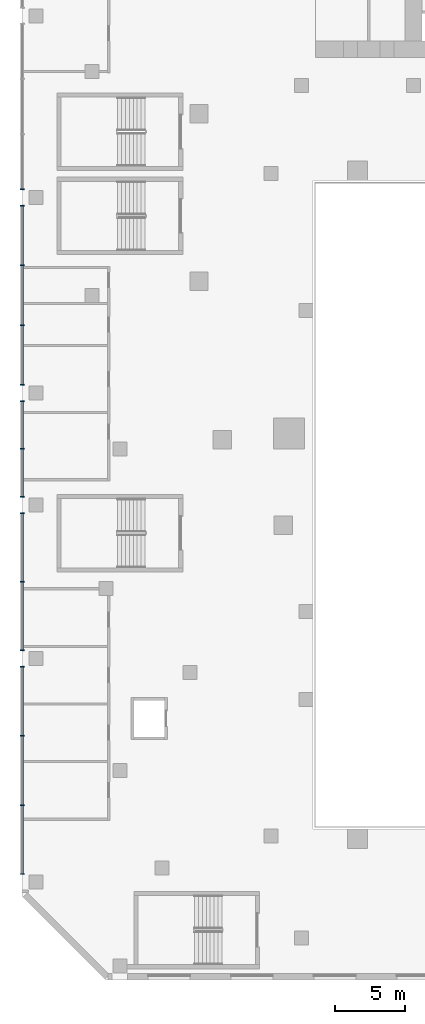
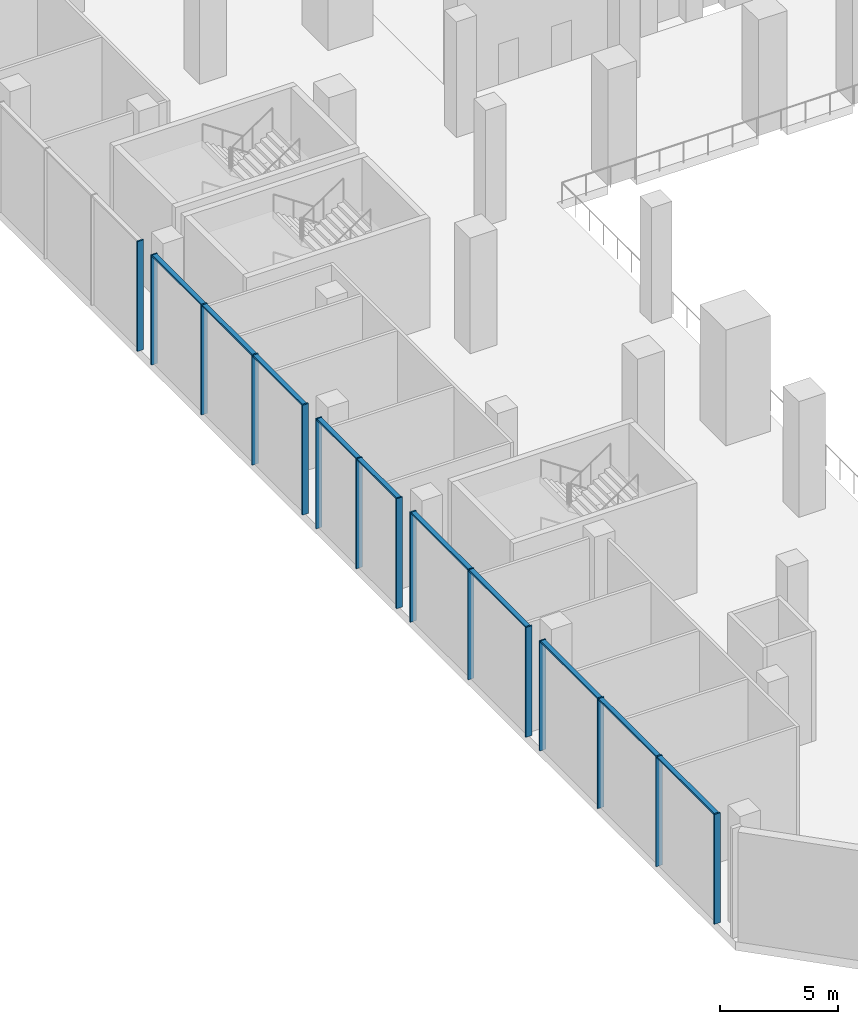
# One storey, part 2 of 30: 25 members, 5 elements without a shape of their own.
"""IFC4 building model written with IfcOpenShell, lengths in metres."""

import ifcopenshell
import ifcopenshell.guid

model = None  # the IFC model being written
_history = None  # IfcOwnerHistory: only IFC2X3 demands one
_inside = {}  # id of a spatial element -> (the spatial element, [elements in it])
_under = {}  # id of a project, library or spatial element -> (it, [spatial elements below it])
_declared = {}  # id of a project -> (the project, [libraries it declares])
_typed = {}  # id of a type object -> (the type object, [elements of that type])
_made_of = {}  # id of a material, layer set ... -> (it, [elements and type objects made of it])


def new_model(schema):
    """Start an empty IFC model of exactly this schema.

    Asked for "IFC4X3", IfcOpenShell would pick the latest addendum, in which some entities
    have other attributes; the version numbers below select the first issue.
    IFC2X3 requires an IfcOwnerHistory on every rooted entity: one is made here for all.
    """
    global model, _history
    if schema == "IFC4X3":
        model = ifcopenshell.file(schema_version=(4, 3, 0, 0))
    else:
        model = ifcopenshell.file(schema=schema)
    _inside.clear()
    _under.clear()
    _declared.clear()
    _typed.clear()
    _made_of.clear()
    _history = None
    if model.schema == "IFC2X3":
        org = make("IfcOrganization", Name="unknown")
        user = make(
            "IfcPersonAndOrganization",
            ThePerson=make("IfcPerson", FamilyName="unknown"),
            TheOrganization=org,
        )
        app = make(
            "IfcApplication",
            ApplicationDeveloper=org,
            Version="unknown",
            ApplicationFullName="unknown",
            ApplicationIdentifier="unknown",
        )
        _history = make(
            "IfcOwnerHistory",
            OwningUser=user,
            OwningApplication=app,
            ChangeAction="ADDED",
            CreationDate=0,
        )
    return model


def make(cls, **values):
    """One entity of the class cls with the attributes given. An attribute that is None is left unset."""
    return model.create_entity(
        cls, **{name: value for name, value in values.items() if value is not None}
    )


def rooted(cls, **values):
    """An entity with a GlobalId (a new one), such as an element, a storey or a relation."""
    return make(cls, GlobalId=ifcopenshell.guid.new(), OwnerHistory=_history, **values)


def si_unit(unit_type, name, prefix=None):
    """IfcSIUnit, for example si_unit("LENGTHUNIT", "METRE", prefix="MILLI")."""
    return make("IfcSIUnit", UnitType=unit_type, Prefix=prefix, Name=name)


def assignment(units):
    """IfcUnitAssignment: the units of a project."""
    return None if units is None else make("IfcUnitAssignment", Units=units)


def point(xyz):
    """IfcCartesianPoint."""
    return None if xyz is None else make("IfcCartesianPoint", Coordinates=xyz)


def direction(xyz):
    """IfcDirection."""
    return None if xyz is None else make("IfcDirection", DirectionRatios=xyz)


def frame(location, z_axis=None, x_axis=None):
    """IfcAxis2Placement3D, a coordinate frame: its origin and axes. An axis left out is left unset."""
    return make(
        "IfcAxis2Placement3D",
        Location=point(location),
        Axis=direction(z_axis),
        RefDirection=direction(x_axis),
    )


def frame_2d(location, x_axis=None):
    """IfcAxis2Placement2D, a coordinate frame in the plane: its origin and x axis."""
    return make(
        "IfcAxis2Placement2D", Location=point(location), RefDirection=direction(x_axis)
    )


def origin():
    """The frame at (0, 0, 0) with its axes left unset."""
    return frame((0.0, 0.0, 0.0))


def origin_2d():
    """The frame at (0, 0) in the plane with its x axis left unset."""
    return frame_2d((0.0, 0.0))


def place(relative_to, where):
    """IfcLocalPlacement: puts the frame where relative to a parent placement (None: the world)."""
    return make(
        "IfcLocalPlacement", PlacementRelTo=relative_to, RelativePlacement=where
    )


def context(
    kind, dimensions, precision=None, world=None, true_north=None, identifier=None
):
    """IfcGeometricRepresentationContext, for example the 3D "Model" context."""
    return make(
        "IfcGeometricRepresentationContext",
        ContextIdentifier=identifier,
        ContextType=kind,
        CoordinateSpaceDimension=dimensions,
        Precision=precision,
        WorldCoordinateSystem=world,
        TrueNorth=true_north,
    )


def subcontext(parent, identifier, kind, view, scale=None):
    """IfcGeometricRepresentationSubContext, for example "Body" below "Model"."""
    return make(
        "IfcGeometricRepresentationSubContext",
        ContextIdentifier=identifier,
        ContextType=kind,
        ParentContext=parent,
        TargetScale=scale,
        TargetView=view,
    )


def project(units=None, contexts=None):
    """IfcProject with its units and contexts."""
    return rooted(
        "IfcProject",
        Name="project",
        RepresentationContexts=contexts,
        UnitsInContext=assignment(units),
    )


def spatial(cls, under=None, at=None, **own):
    """A site, building, storey or space (cls), placed at a placement, below another one or the project."""
    s = rooted(cls, ObjectPlacement=at, **own)
    if under is not None:
        _under.setdefault(under.id(), (under, []))[1].append(s)
    return s


def profile(cls, at=None, kind="AREA", **sizes):
    """A parametric profile (cls). Its sizes go by their IFC names, for example OverallWidth=200.0."""
    return make(cls, ProfileType=kind, Position=at, **sizes)


def rectangle(**sizes):
    """IfcRectangleProfileDef."""
    return profile("IfcRectangleProfileDef", **sizes)


def extrude(swept, where, along, depth):
    """IfcExtrudedAreaSolid: the profile swept, set in the frame where, extruded along a direction by depth."""
    return make(
        "IfcExtrudedAreaSolid",
        SweptArea=swept,
        Position=where,
        ExtrudedDirection=direction(along),
        Depth=depth,
    )


def shape(context_of_items, identifier, shape_type, items):
    """IfcShapeRepresentation: the items that make up one representation, for example the "Body"."""
    return make(
        "IfcShapeRepresentation",
        ContextOfItems=context_of_items,
        RepresentationIdentifier=identifier,
        RepresentationType=shape_type,
        Items=items,
    )


def material(Name=None, Category=None):
    """IfcMaterial."""
    return make("IfcMaterial", Name=Name, Category=Category)


def material_profile(
    of_material, cross_section, Name=None, Category=None, Priority=None
):
    """IfcMaterialProfile: a cross section and its material."""
    return make(
        "IfcMaterialProfile",
        Name=Name,
        Material=of_material,
        Profile=cross_section,
        Priority=Priority,
        Category=Category,
    )


def profile_set(profiles, Name=None, composite=None):
    """IfcMaterialProfileSet."""
    return make(
        "IfcMaterialProfileSet",
        Name=Name,
        MaterialProfiles=profiles,
        CompositeProfile=composite,
    )


def made_of(thing, what):
    """Note that an element or type object is made of a material, layer set ...; save() writes the relation."""
    if what is not None:
        _made_of.setdefault(what.id(), (what, []))[1].append(thing)
    return thing


def type_object(cls, material=None, **own):
    """A type object (cls), such as IfcWallType, which elements share."""
    return made_of(rooted(cls, **own), material)


def element(
    cls,
    number,
    at=None,
    inside=None,
    cuts=None,
    type_object=None,
    material=None,
    context=None,
    identifier="Body",
    shape_type=None,
    held_by="IfcProductDefinitionShape",
    body=None,
    shapes=None,
    **own,
):
    """One element of the class cls, such as IfcWall. Its Tag is "e" and its number.

    at: its placement. inside: the storey or other place that contains it. cuts: it is an
    opening in that element (IfcRelVoidsElement). A single representation is given by context,
    identifier, shape_type and body (its items); several are given by shapes. held_by: the class
    of the entity that holds the representations. save() writes the other relations.
    """
    e = rooted(cls, Tag="e%d" % number, ObjectPlacement=at, **own)
    if body is not None:
        shapes = [shape(context, identifier, shape_type, body)]
    if shapes is not None:
        e.Representation = make(held_by, Representations=shapes)
    if inside is not None:
        _inside.setdefault(inside.id(), (inside, []))[1].append(e)
    if cuts is not None:
        rooted(
            "IfcRelVoidsElement", RelatingBuildingElement=cuts, RelatedOpeningElement=e
        )
    if type_object is not None:
        _typed.setdefault(type_object.id(), (type_object, []))[1].append(e)
    return made_of(e, material)


def aggregate(whole, parts):
    """IfcRelAggregates: a whole, such as a stair, and the parts it consists of."""
    return rooted("IfcRelAggregates", RelatingObject=whole, RelatedObjects=parts)


def save(model, path):
    """Write the relations noted so far, then the file.

    IfcRelAggregates (storeys below a building ...), IfcRelContainedInSpatialStructure (elements
    in a storey), IfcRelDefinesByType, IfcRelAssociatesMaterial and IfcRelDeclares: one each for
    every whole, place, type object, material and project.
    """
    for whole, parts in _under.values():
        aggregate(whole, parts)
    for where, things in _inside.values():
        rooted(
            "IfcRelContainedInSpatialStructure",
            RelatedElements=things,
            RelatingStructure=where,
        )
    for kind, things in _typed.values():
        rooted("IfcRelDefinesByType", RelatedObjects=things, RelatingType=kind)
    for what, things in _made_of.values():
        rooted("IfcRelAssociatesMaterial", RelatedObjects=things, RelatingMaterial=what)
    for by, libraries in _declared.values():
        rooted("IfcRelDeclares", RelatingContext=by, RelatedDefinitions=libraries)
    model.write(path)


model = new_model("IFC4")

# Units and contexts
model_context = context("Model", 3, precision=1e-05, world=origin(), true_north=direction((0.0, 1.0)))
body_context = subcontext(model_context, "Body", "Model", "MODEL_VIEW")
ifc_project = project(units=[si_unit("LENGTHUNIT", "METRE"), si_unit("AREAUNIT", "SQUARE_METRE"), si_unit("VOLUMEUNIT", "CUBIC_METRE"), si_unit("PLANEANGLEUNIT", "RADIAN"), si_unit("MASSUNIT", "GRAM", prefix="KILO")], contexts=[model_context])

# Site, building, storey
site_placement = place(None, origin())
site = spatial("IfcSite", under=ifc_project, at=site_placement, CompositionType="ELEMENT")
building_placement = place(site_placement, origin())
building = spatial("IfcBuilding", under=site, at=building_placement, Name="Wharfspan Tower", CompositionType="ELEMENT")
storey_placement = place(building_placement, frame((0.0, 0.0, 21.5)))
storey = spatial("IfcBuildingStorey", under=building, at=storey_placement, Name="L03", CompositionType="ELEMENT", Elevation=21.5)

# Curtain wall, member
ifc_material = material(Name="Aluminium 6063-T6", Category="aluminium")
curtain_wall_type = type_object("IfcCurtainWallType", Name="CURTAIN WALL ARENA STICK WALL", PredefinedType="NOTDEFINED", material=ifc_material)
curtain_wall_1_placement = place(storey_placement, origin())
curtain_wall_1 = element("IfcCurtainWall", 1, at=curtain_wall_1_placement, inside=storey, type_object=curtain_wall_type, Name="Concourse stick wall PF12.3", PredefinedType="NOTDEFINED")
ifc_material_profile_1 = material_profile(ifc_material, rectangle(XDim=0.300049, YDim=0.070068, at=origin_2d()))
ifc_profile_set_1 = profile_set([ifc_material_profile_1], Name="Aluminium 6063-T6")
member_type_1 = type_object("IfcMemberType", Name="MULLION ARENA STICK WALL 70x300", PredefinedType="MULLION", material=ifc_profile_set_1)
member_1_placement = place(storey_placement, frame((-12.0, 24.584961, 0.0), z_axis=(0.0, 0.0, 1.0), x_axis=(1.0, 0.0, 0.0)))
member_1 = element("IfcMember", 2, at=member_1_placement, type_object=member_type_1, Name="Concourse stick wall PF12.3 mullion 4", PredefinedType="MULLION", context=body_context, shape_type="SweptSolid", body=[
    extrude(rectangle(XDim=0.300049, YDim=0.070068, at=origin_2d()), origin(), (0.0, 0.0, 1.0), 5.699951),
])
aggregate(curtain_wall_1, [member_1])

# Curtain wall, members
curtain_wall_2_placement = place(storey_placement, origin())
curtain_wall_2 = element("IfcCurtainWall", 3, at=curtain_wall_2_placement, inside=storey, type_object=curtain_wall_type, Name="Concourse stick wall PF12.4", PredefinedType="NOTDEFINED")
member_2_placement = place(storey_placement, frame((-12.0, 23.415039, 0.0), z_axis=(0.0, 0.0, 1.0), x_axis=(1.0, 0.0, 0.0)))
member_2 = element("IfcMember", 4, at=member_2_placement, type_object=member_type_1, Name="Concourse stick wall PF12.4 mullion 1", PredefinedType="MULLION", context=body_context, shape_type="SweptSolid", body=[
    extrude(rectangle(XDim=0.300049, YDim=0.070068, at=origin_2d()), origin(), (0.0, 0.0, 1.0), 5.699951),
])
member_3_placement = place(storey_placement, frame((-12.0, 19.149902, 0.0), z_axis=(0.0, 0.0, 1.0), x_axis=(1.0, 0.0, 0.0)))
member_3 = element("IfcMember", 5, at=member_3_placement, type_object=member_type_1, Name="Concourse stick wall PF12.4 mullion 2", PredefinedType="MULLION", context=body_context, shape_type="SweptSolid", body=[
    extrude(rectangle(XDim=0.300049, YDim=0.070068, at=origin_2d()), origin(), (0.0, 0.0, 1.0), 5.699951),
])
member_4_placement = place(storey_placement, frame((-12.0, 14.850098, 0.0), z_axis=(0.0, 0.0, 1.0), x_axis=(1.0, 0.0, 0.0)))
member_4 = element("IfcMember", 6, at=member_4_placement, type_object=member_type_1, Name="Concourse stick wall PF12.4 mullion 3", PredefinedType="MULLION", context=body_context, shape_type="SweptSolid", body=[
    extrude(rectangle(XDim=0.300049, YDim=0.070068, at=origin_2d()), origin(), (0.0, 0.0, 1.0), 5.699951),
])
member_5_placement = place(storey_placement, frame((-12.0, 10.584961, 0.0), z_axis=(0.0, 0.0, 1.0), x_axis=(1.0, 0.0, 0.0)))
member_5 = element("IfcMember", 7, at=member_5_placement, type_object=member_type_1, Name="Concourse stick wall PF12.4 mullion 4", PredefinedType="MULLION", context=body_context, shape_type="SweptSolid", body=[
    extrude(rectangle(XDim=0.300049, YDim=0.070068, at=origin_2d()), origin(), (0.0, 0.0, 1.0), 5.699951),
])

curtain_wall_3_placement = place(storey_placement, origin())
curtain_wall_3 = element("IfcCurtainWall", 8, at=curtain_wall_3_placement, inside=storey, type_object=curtain_wall_type, Name="Concourse stick wall PF12.5", PredefinedType="NOTDEFINED")
member_6_placement = place(storey_placement, frame((-12.0, 9.415039, 0.0), z_axis=(0.0, 0.0, 1.0), x_axis=(1.0, 0.0, 0.0)))
member_6 = element("IfcMember", 9, at=member_6_placement, type_object=member_type_1, Name="Concourse stick wall PF12.5 mullion 1", PredefinedType="MULLION", context=body_context, shape_type="SweptSolid", body=[
    extrude(rectangle(XDim=0.300049, YDim=0.070068, at=origin_2d()), origin(), (0.0, 0.0, 1.0), 5.699951),
])
member_7_placement = place(storey_placement, frame((-12.0, 6.0, 0.0), z_axis=(0.0, 0.0, 1.0), x_axis=(1.0, 0.0, 0.0)))
member_7 = element("IfcMember", 10, at=member_7_placement, type_object=member_type_1, Name="Concourse stick wall PF12.5 mullion 2", PredefinedType="MULLION", context=body_context, shape_type="SweptSolid", body=[
    extrude(rectangle(XDim=0.300049, YDim=0.070068, at=origin_2d()), origin(), (0.0, 0.0, 1.0), 5.699951),
])
member_8_placement = place(storey_placement, frame((-12.0, 2.584961, 0.0), z_axis=(0.0, 0.0, 1.0), x_axis=(1.0, 0.0, 0.0)))
member_8 = element("IfcMember", 11, at=member_8_placement, type_object=member_type_1, Name="Concourse stick wall PF12.5 mullion 3", PredefinedType="MULLION", context=body_context, shape_type="SweptSolid", body=[
    extrude(rectangle(XDim=0.300049, YDim=0.070068, at=origin_2d()), origin(), (0.0, 0.0, 1.0), 5.699951),
])

curtain_wall_4_placement = place(storey_placement, origin())
curtain_wall_4 = element("IfcCurtainWall", 12, at=curtain_wall_4_placement, inside=storey, type_object=curtain_wall_type, Name="Concourse stick wall PF12.6", PredefinedType="NOTDEFINED")
member_9_placement = place(storey_placement, frame((-12.0, 1.415039, 0.0), z_axis=(0.0, 0.0, 1.0), x_axis=(1.0, 0.0, 0.0)))
member_9 = element("IfcMember", 13, at=member_9_placement, type_object=member_type_1, Name="Concourse stick wall PF12.6 mullion 1", PredefinedType="MULLION", context=body_context, shape_type="SweptSolid", body=[
    extrude(rectangle(XDim=0.300049, YDim=0.070068, at=origin_2d()), origin(), (0.0, 0.0, 1.0), 5.699951),
])
member_10_placement = place(storey_placement, frame((-12.0, -3.5, 0.0), z_axis=(0.0, 0.0, 1.0), x_axis=(1.0, 0.0, 0.0)))
member_10 = element("IfcMember", 14, at=member_10_placement, type_object=member_type_1, Name="Concourse stick wall PF12.6 mullion 2", PredefinedType="MULLION", context=body_context, shape_type="SweptSolid", body=[
    extrude(rectangle(XDim=0.300049, YDim=0.070068, at=origin_2d()), origin(), (0.0, 0.0, 1.0), 5.699951),
])
member_11_placement = place(storey_placement, frame((-12.0, -8.415039, 0.0), z_axis=(0.0, 0.0, 1.0), x_axis=(1.0, 0.0, 0.0)))
member_11 = element("IfcMember", 15, at=member_11_placement, type_object=member_type_1, Name="Concourse stick wall PF12.6 mullion 3", PredefinedType="MULLION", context=body_context, shape_type="SweptSolid", body=[
    extrude(rectangle(XDim=0.300049, YDim=0.070068, at=origin_2d()), origin(), (0.0, 0.0, 1.0), 5.699951),
])

curtain_wall_5_placement = place(storey_placement, origin())
curtain_wall_5 = element("IfcCurtainWall", 16, at=curtain_wall_5_placement, inside=storey, type_object=curtain_wall_type, Name="Concourse stick wall PF12.7", PredefinedType="NOTDEFINED")
member_12_placement = place(storey_placement, frame((-12.0, -9.584961, 0.0), z_axis=(0.0, 0.0, 1.0), x_axis=(1.0, 0.0, 0.0)))
member_12 = element("IfcMember", 17, at=member_12_placement, type_object=member_type_1, Name="Concourse stick wall PF12.7 mullion 1", PredefinedType="MULLION", context=body_context, shape_type="SweptSolid", body=[
    extrude(rectangle(XDim=0.300049, YDim=0.070068, at=origin_2d()), origin(), (0.0, 0.0, 1.0), 5.699951),
])
member_13_placement = place(storey_placement, frame((-12.0, -14.516602, 0.0), z_axis=(0.0, 0.0, 1.0), x_axis=(1.0, 0.0, 0.0)))
member_13 = element("IfcMember", 18, at=member_13_placement, type_object=member_type_1, Name="Concourse stick wall PF12.7 mullion 2", PredefinedType="MULLION", context=body_context, shape_type="SweptSolid", body=[
    extrude(rectangle(XDim=0.300049, YDim=0.070068, at=origin_2d()), origin(), (0.0, 0.0, 1.0), 5.699951),
])
member_14_placement = place(storey_placement, frame((-12.0, -19.483398, 0.0), z_axis=(0.0, 0.0, 1.0), x_axis=(1.0, 0.0, 0.0)))
member_14 = element("IfcMember", 19, at=member_14_placement, type_object=member_type_1, Name="Concourse stick wall PF12.7 mullion 3", PredefinedType="MULLION", context=body_context, shape_type="SweptSolid", body=[
    extrude(rectangle(XDim=0.300049, YDim=0.070068, at=origin_2d()), origin(), (0.0, 0.0, 1.0), 5.699951),
])
member_15_placement = place(storey_placement, frame((-12.0, -24.415039, 0.0), z_axis=(0.0, 0.0, 1.0), x_axis=(1.0, 0.0, 0.0)))
member_15 = element("IfcMember", 20, at=member_15_placement, type_object=member_type_1, Name="Concourse stick wall PF12.7 mullion 4", PredefinedType="MULLION", context=body_context, shape_type="SweptSolid", body=[
    extrude(rectangle(XDim=0.300049, YDim=0.070068, at=origin_2d()), origin(), (0.0, 0.0, 1.0), 5.699951),
])

# Member
ifc_material_profile_2 = material_profile(ifc_material, rectangle(XDim=0.219971, YDim=0.090088, at=origin_2d()))
ifc_profile_set_2 = profile_set([ifc_material_profile_2], Name="Aluminium 6063-T6")
member_type_2 = type_object("IfcMemberType", Name="TRANSOM ARENA STICK WALL 90x220", PredefinedType="USERDEFINED", material=ifc_profile_set_2)
member_16_placement = place(storey_placement, frame((-12.0, 23.379883, 5.655029), z_axis=(0.0, -1.0, 0.0), x_axis=(1.0, 0.0, 0.0)))
member_16 = element("IfcMember", 21, at=member_16_placement, type_object=member_type_2, Name="Concourse stick wall PF12.4 transom 1", ObjectType="TRANSOM", PredefinedType="USERDEFINED", context=body_context, shape_type="SweptSolid", body=[
    extrude(rectangle(XDim=0.219971, YDim=0.090088, at=origin_2d()), origin(), (0.0, 0.0, 1.0), 4.194824),
])

member_17_placement = place(storey_placement, frame((-12.0, 19.11499, 5.655029), z_axis=(0.0, -1.0, 0.0), x_axis=(1.0, 0.0, 0.0)))
member_17 = element("IfcMember", 22, at=member_17_placement, type_object=member_type_2, Name="Concourse stick wall PF12.4 transom 2", ObjectType="TRANSOM", PredefinedType="USERDEFINED", context=body_context, shape_type="SweptSolid", body=[
    extrude(rectangle(XDim=0.219971, YDim=0.090088, at=origin_2d()), origin(), (0.0, 0.0, 1.0), 4.22998),
])

member_18_placement = place(storey_placement, frame((-12.0, 14.814941, 5.655029), z_axis=(0.0, -1.0, 0.0), x_axis=(1.0, 0.0, 0.0)))
member_18 = element("IfcMember", 23, at=member_18_placement, type_object=member_type_2, Name="Concourse stick wall PF12.4 transom 3", ObjectType="TRANSOM", PredefinedType="USERDEFINED", context=body_context, shape_type="SweptSolid", body=[
    extrude(rectangle(XDim=0.219971, YDim=0.090088, at=origin_2d()), origin(), (0.0, 0.0, 1.0), 4.194824),
])

aggregate(curtain_wall_2, [member_2, member_3, member_4, member_5, member_16, member_17, member_18])

member_19_placement = place(storey_placement, frame((-12.0, 9.379883, 5.655029), z_axis=(0.0, -1.0, 0.0), x_axis=(1.0, 0.0, 0.0)))
member_19 = element("IfcMember", 24, at=member_19_placement, type_object=member_type_2, Name="Concourse stick wall PF12.5 transom 1", ObjectType="TRANSOM", PredefinedType="USERDEFINED", context=body_context, shape_type="SweptSolid", body=[
    extrude(rectangle(XDim=0.219971, YDim=0.090088, at=origin_2d()), origin(), (0.0, 0.0, 1.0), 3.344971),
])

member_20_placement = place(storey_placement, frame((-12.0, 5.965088, 5.655029), z_axis=(0.0, -1.0, 0.0), x_axis=(1.0, 0.0, 0.0)))
member_20 = element("IfcMember", 25, at=member_20_placement, type_object=member_type_2, Name="Concourse stick wall PF12.5 transom 2", ObjectType="TRANSOM", PredefinedType="USERDEFINED", context=body_context, shape_type="SweptSolid", body=[
    extrude(rectangle(XDim=0.219971, YDim=0.090088, at=origin_2d()), origin(), (0.0, 0.0, 1.0), 3.344971),
])

aggregate(curtain_wall_3, [member_6, member_7, member_8, member_19, member_20])

member_21_placement = place(storey_placement, frame((-12.0, 1.379883, 5.655029), z_axis=(0.0, -1.0, 0.0), x_axis=(1.0, 0.0, 0.0)))
member_21 = element("IfcMember", 26, at=member_21_placement, type_object=member_type_2, Name="Concourse stick wall PF12.6 transom 1", ObjectType="TRANSOM", PredefinedType="USERDEFINED", context=body_context, shape_type="SweptSolid", body=[
    extrude(rectangle(XDim=0.219971, YDim=0.090088, at=origin_2d()), origin(), (0.0, 0.0, 1.0), 4.844971),
])

member_22_placement = place(storey_placement, frame((-12.0, -3.534912, 5.655029), z_axis=(0.0, -1.0, 0.0), x_axis=(1.0, 0.0, 0.0)))
member_22 = element("IfcMember", 27, at=member_22_placement, type_object=member_type_2, Name="Concourse stick wall PF12.6 transom 2", ObjectType="TRANSOM", PredefinedType="USERDEFINED", context=body_context, shape_type="SweptSolid", body=[
    extrude(rectangle(XDim=0.219971, YDim=0.090088, at=origin_2d()), origin(), (0.0, 0.0, 1.0), 4.844971),
])

aggregate(curtain_wall_4, [member_9, member_10, member_11, member_21, member_22])

member_23_placement = place(storey_placement, frame((-12.0, -9.620117, 5.655029), z_axis=(0.0, -1.0, 0.0), x_axis=(1.0, 0.0, 0.0)))
member_23 = element("IfcMember", 28, at=member_23_placement, type_object=member_type_2, Name="Concourse stick wall PF12.7 transom 1", ObjectType="TRANSOM", PredefinedType="USERDEFINED", context=body_context, shape_type="SweptSolid", body=[
    extrude(rectangle(XDim=0.219971, YDim=0.090088, at=origin_2d()), origin(), (0.0, 0.0, 1.0), 4.861572),
])

member_24_placement = place(storey_placement, frame((-12.0, -14.551758, 5.655029), z_axis=(0.0, -1.0, 0.0), x_axis=(1.0, 0.0, 0.0)))
member_24 = element("IfcMember", 29, at=member_24_placement, type_object=member_type_2, Name="Concourse stick wall PF12.7 transom 2", ObjectType="TRANSOM", PredefinedType="USERDEFINED", context=body_context, shape_type="SweptSolid", body=[
    extrude(rectangle(XDim=0.219971, YDim=0.090088, at=origin_2d()), origin(), (0.0, 0.0, 1.0), 4.896484),
])

member_25_placement = place(storey_placement, frame((-12.0, -19.518311, 5.655029), z_axis=(0.0, -1.0, 0.0), x_axis=(1.0, 0.0, 0.0)))
member_25 = element("IfcMember", 30, at=member_25_placement, type_object=member_type_2, Name="Concourse stick wall PF12.7 transom 3", ObjectType="TRANSOM", PredefinedType="USERDEFINED", context=body_context, shape_type="SweptSolid", body=[
    extrude(rectangle(XDim=0.219971, YDim=0.090088, at=origin_2d()), origin(), (0.0, 0.0, 1.0), 4.861572),
])

aggregate(curtain_wall_5, [member_12, member_13, member_14, member_15, member_23, member_24, member_25])

save(model, "model.ifc")
